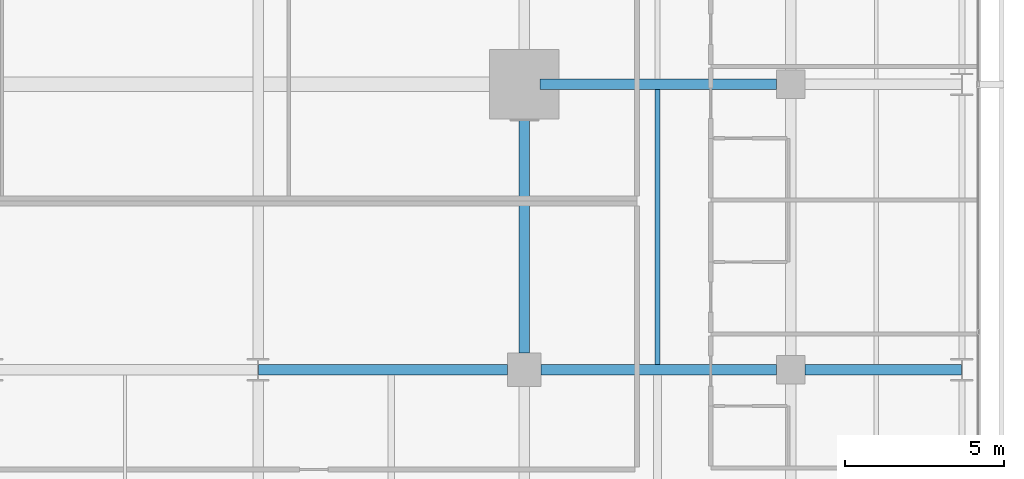
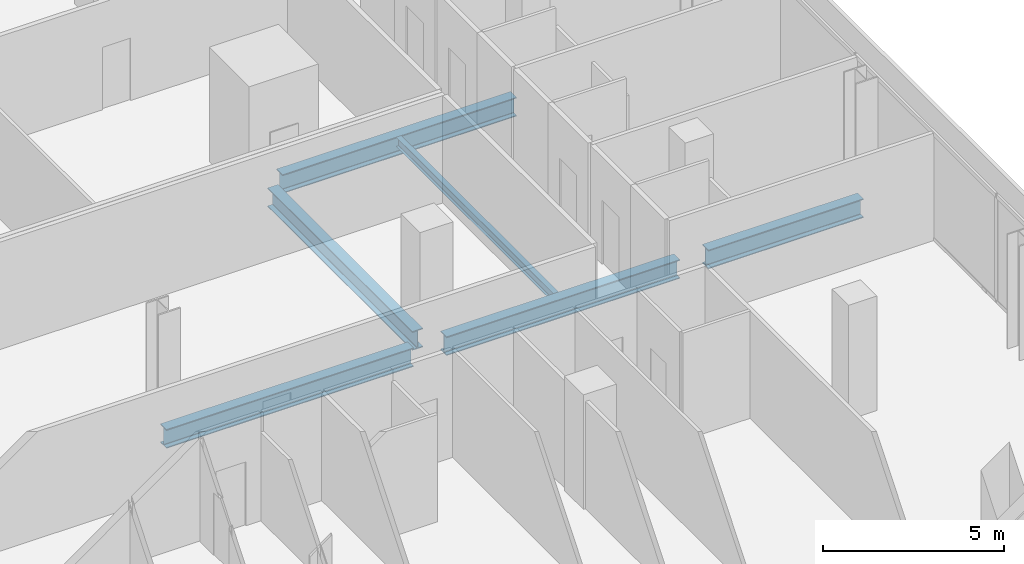
# One storey, part 18 of 40: 6 beams.
"""IFC4 building model written with IfcOpenShell, lengths in metres."""

from ifc_helpers import new_model, si_unit, direction, frame, origin, origin_2d, place, context, subcontext, project, spatial, i_section, extrude, material, material_profile, profile_set, type_object, element, save


model = new_model("IFC4")

# Units and contexts
model_context = context("Model", 3, precision=1e-05, world=origin(), true_north=direction((0.0, 1.0)))
body_context = subcontext(model_context, "Body", "Model", "MODEL_VIEW")
ifc_project = project(units=[si_unit("LENGTHUNIT", "METRE"), si_unit("AREAUNIT", "SQUARE_METRE"), si_unit("VOLUMEUNIT", "CUBIC_METRE"), si_unit("PLANEANGLEUNIT", "RADIAN"), si_unit("MASSUNIT", "GRAM", prefix="KILO")], contexts=[model_context])

# Site, building, storey
site_placement = place(None, origin())
site = spatial("IfcSite", under=ifc_project, at=site_placement, CompositionType="ELEMENT")
building_placement = place(site_placement, origin())
building = spatial("IfcBuilding", under=site, at=building_placement, Name="Maruvema Waterfront Hotel and Observation Tower", CompositionType="ELEMENT")
storey_placement = place(building_placement, frame((0.0, 0.0, 30.800048828125)))
storey = spatial("IfcBuildingStorey", under=building, at=storey_placement, Name="L06", CompositionType="ELEMENT", Elevation=30.800048828125)

# Beams
ifc_material_1 = material(Name="Steel ASTM A572 Grade 50", Category="steel")
ifc_material_profile_1 = material_profile(ifc_material_1, i_section(OverallWidth=0.3291015625, OverallDepth=0.635009765625, WebThickness=0.017822265625, FlangeThickness=0.031005859375, FilletRadius=0.01806640625, at=origin_2d()), Name="W610x241.0")
ifc_profile_set_1 = profile_set([ifc_material_profile_1], Name="Steel ASTM A572 Grade 50")
beam_type_1 = type_object("IfcBeamType", Name="Primary Floor Girder W610x241.0", PredefinedType="BEAM", material=ifc_profile_set_1)
beam_1_placement = place(storey_placement, frame((42.013916015625, 18.0, -0.5576171875), z_axis=(1.0, 0.0, 0.0), x_axis=(0.0, 1.0, 0.0)))
element("IfcBeam", 1, at=beam_1_placement, inside=storey, type_object=beam_type_1, Name="L06 Floor Girder EW-17", PredefinedType="BEAM", context=body_context, shape_type="SweptSolid", body=[
    extrude(i_section(OverallWidth=0.3291015625, OverallDepth=0.635009765625, WebThickness=0.017822265625, FlangeThickness=0.031005859375, FilletRadius=0.01806640625, at=origin_2d()), origin(), (0.0, 0.0, 1.0), 7.861083984375),
])
beam_2_placement = place(storey_placement, frame((50.925048828125, 18.0, -0.5576171875), z_axis=(1.0, 0.0, 0.0), x_axis=(0.0, 1.0, 0.0)))
element("IfcBeam", 2, at=beam_2_placement, inside=storey, type_object=beam_type_1, Name="L06 Floor Girder EW-18", PredefinedType="BEAM", context=body_context, shape_type="SweptSolid", body=[
    extrude(i_section(OverallWidth=0.3291015625, OverallDepth=0.635009765625, WebThickness=0.017822265625, FlangeThickness=0.031005859375, FilletRadius=0.01806640625, at=origin_2d()), origin(), (0.0, 0.0, 1.0), 7.425048828125),
])
beam_3_placement = place(storey_placement, frame((59.25, 18.0, -0.5576171875), z_axis=(1.0, 0.0, 0.0), x_axis=(0.0, 1.0, 0.0)))
element("IfcBeam", 3, at=beam_3_placement, inside=storey, type_object=beam_type_1, Name="L06 Floor Girder EW-19", PredefinedType="BEAM", context=body_context, shape_type="SweptSolid", body=[
    extrude(i_section(OverallWidth=0.3291015625, OverallDepth=0.635009765625, WebThickness=0.017822265625, FlangeThickness=0.031005859375, FilletRadius=0.01806640625, at=origin_2d()), origin(), (0.0, 0.0, 1.0), 4.93603515625),
])
beam_4_placement = place(storey_placement, frame((50.89990234375, 27.0, -0.5576171875), z_axis=(1.0, 0.0, 0.0), x_axis=(0.0, 1.0, 0.0)))
element("IfcBeam", 4, at=beam_4_placement, inside=storey, type_object=beam_type_1, Name="L06 Floor Girder EW-23", PredefinedType="BEAM", context=body_context, shape_type="SweptSolid", body=[
    extrude(i_section(OverallWidth=0.3291015625, OverallDepth=0.635009765625, WebThickness=0.017822265625, FlangeThickness=0.031005859375, FilletRadius=0.01806640625, at=origin_2d()), origin(), (0.0, 0.0, 1.0), 7.4501953125),
])
beam_5_placement = place(storey_placement, frame((50.39990234375, 18.52490234375, -0.5576171875), z_axis=(0.0, 1.0, 0.0), x_axis=(-1.0, 0.0, 0.0)))
element("IfcBeam", 5, at=beam_5_placement, inside=storey, type_object=beam_type_1, Name="L06 Floor Girder NS-24", PredefinedType="BEAM", context=body_context, shape_type="SweptSolid", body=[
    extrude(i_section(OverallWidth=0.3291015625, OverallDepth=0.635009765625, WebThickness=0.017822265625, FlangeThickness=0.031005859375, FilletRadius=0.01806640625, at=origin_2d()), origin(), (0.0, 0.0, 1.0), 7.97509765625),
])
ifc_material_2 = material(Name="Steel ASTM A572 Grade 50", Category="steel")
ifc_material_profile_2 = material_profile(ifc_material_2, i_section(OverallWidth=0.1669921875, OverallDepth=0.31689453125, WebThickness=0.007568359375, FlangeThickness=0.01318359375, FilletRadius=0.012939453125, at=origin_2d()), Name="W310x52.0")
ifc_profile_set_2 = profile_set([ifc_material_profile_2], Name="Steel ASTM A572 Grade 50")
beam_type_2 = type_object("IfcBeamType", Name="Secondary Floor Joist W310x52.0", PredefinedType="JOIST", material=ifc_profile_set_2)
beam_6_placement = place(storey_placement, frame((54.60009765625, 18.16455078125, -0.3984375), z_axis=(0.0, 1.0, 0.0), x_axis=(-1.0, 0.0, 0.0)))
element("IfcBeam", 6, at=beam_6_placement, inside=storey, type_object=beam_type_2, Name="L06 Secondary Floor Joist JS-18", PredefinedType="JOIST", context=body_context, shape_type="SweptSolid", body=[
    extrude(i_section(OverallWidth=0.1669921875, OverallDepth=0.31689453125, WebThickness=0.007568359375, FlangeThickness=0.01318359375, FilletRadius=0.012939453125, at=origin_2d()), origin(), (0.0, 0.0, 1.0), 8.6708984375),
])

save(model, "model.ifc")
